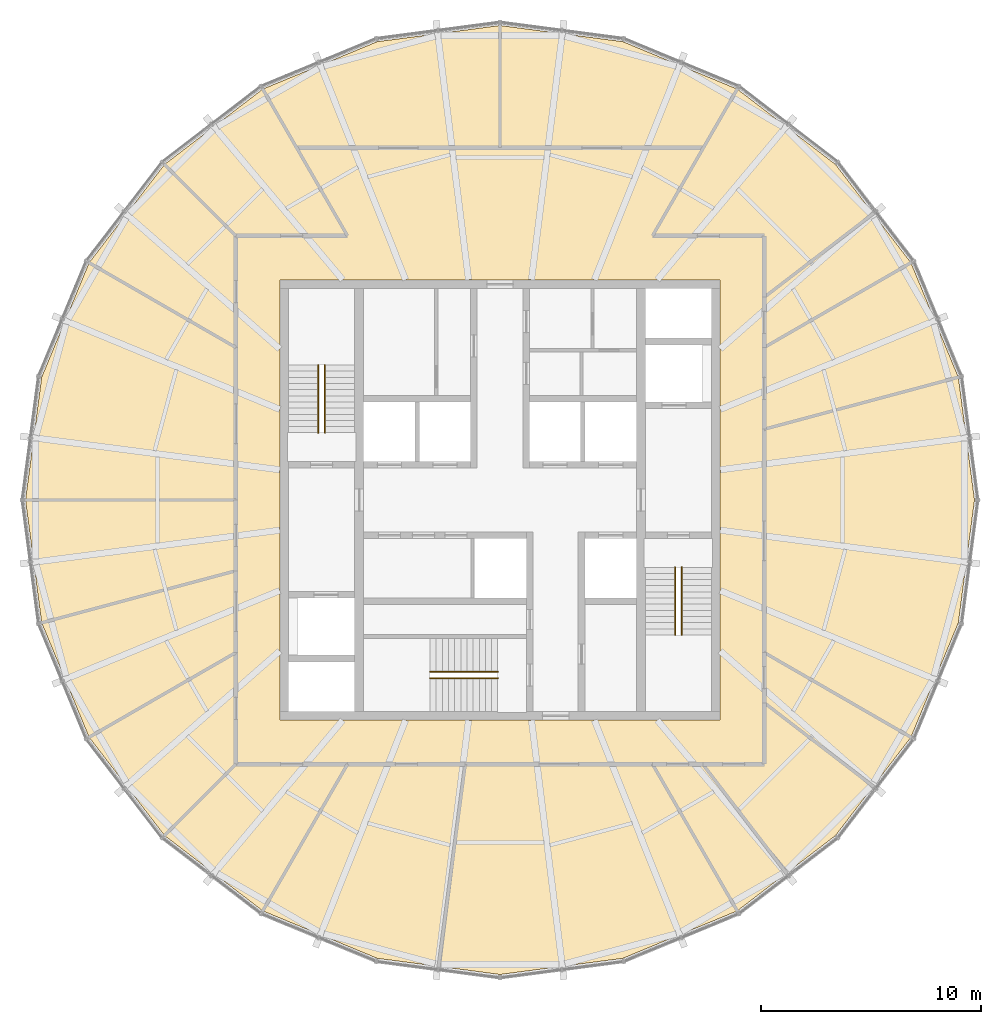
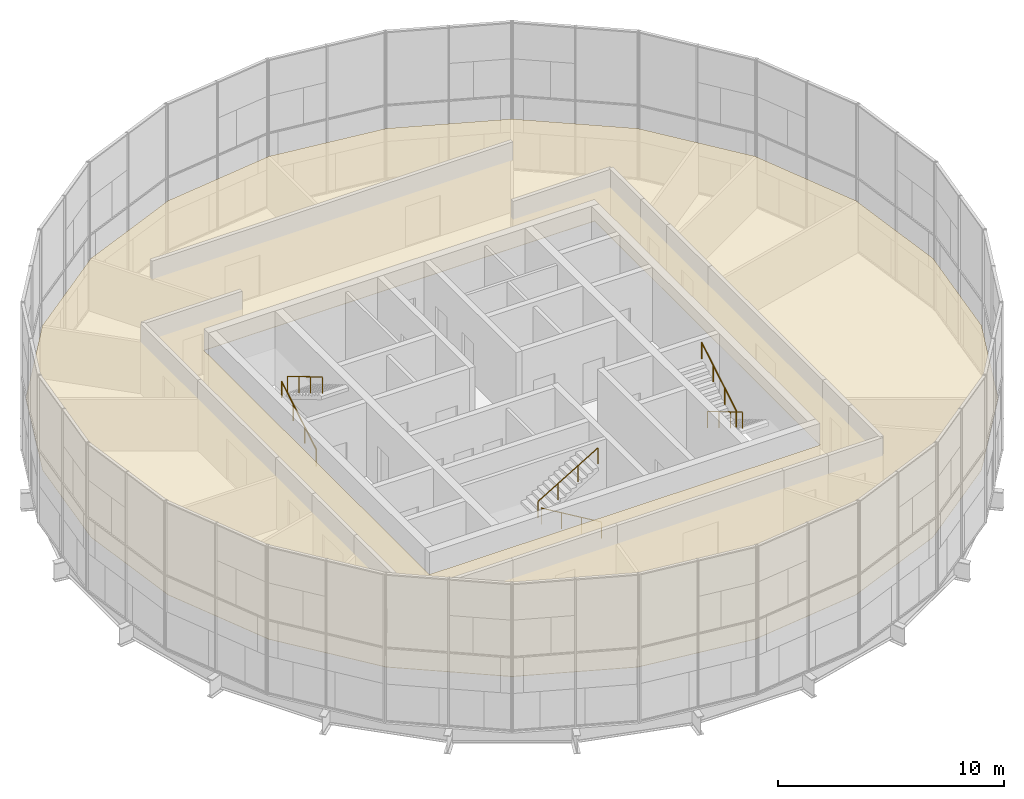
# One storey, part 18 of 18: 6 railings, 1 covering.
"""IFC4 building model written with IfcOpenShell, lengths in metres."""

import ifcopenshell
import ifcopenshell.guid

model = None  # the IFC model being written
_history = None  # IfcOwnerHistory: only IFC2X3 demands one
_inside = {}  # id of a spatial element -> (the spatial element, [elements in it])
_under = {}  # id of a project, library or spatial element -> (it, [spatial elements below it])
_declared = {}  # id of a project -> (the project, [libraries it declares])
_typed = {}  # id of a type object -> (the type object, [elements of that type])
_made_of = {}  # id of a material, layer set ... -> (it, [elements and type objects made of it])


def new_model(schema):
    """Start an empty IFC model of exactly this schema.

    Asked for "IFC4X3", IfcOpenShell would pick the latest addendum, in which some entities
    have other attributes; the version numbers below select the first issue.
    IFC2X3 requires an IfcOwnerHistory on every rooted entity: one is made here for all.
    """
    global model, _history
    if schema == "IFC4X3":
        model = ifcopenshell.file(schema_version=(4, 3, 0, 0))
    else:
        model = ifcopenshell.file(schema=schema)
    _inside.clear()
    _under.clear()
    _declared.clear()
    _typed.clear()
    _made_of.clear()
    _history = None
    if model.schema == "IFC2X3":
        org = make("IfcOrganization", Name="unknown")
        user = make(
            "IfcPersonAndOrganization",
            ThePerson=make("IfcPerson", FamilyName="unknown"),
            TheOrganization=org,
        )
        app = make(
            "IfcApplication",
            ApplicationDeveloper=org,
            Version="unknown",
            ApplicationFullName="unknown",
            ApplicationIdentifier="unknown",
        )
        _history = make(
            "IfcOwnerHistory",
            OwningUser=user,
            OwningApplication=app,
            ChangeAction="ADDED",
            CreationDate=0,
        )
    return model


def make(cls, **values):
    """One entity of the class cls with the attributes given. An attribute that is None is left unset."""
    return model.create_entity(
        cls, **{name: value for name, value in values.items() if value is not None}
    )


def rooted(cls, **values):
    """An entity with a GlobalId (a new one), such as an element, a storey or a relation."""
    return make(cls, GlobalId=ifcopenshell.guid.new(), OwnerHistory=_history, **values)


def si_unit(unit_type, name, prefix=None):
    """IfcSIUnit, for example si_unit("LENGTHUNIT", "METRE", prefix="MILLI")."""
    return make("IfcSIUnit", UnitType=unit_type, Prefix=prefix, Name=name)


def assignment(units):
    """IfcUnitAssignment: the units of a project."""
    return None if units is None else make("IfcUnitAssignment", Units=units)


def point(xyz):
    """IfcCartesianPoint."""
    return None if xyz is None else make("IfcCartesianPoint", Coordinates=xyz)


def direction(xyz):
    """IfcDirection."""
    return None if xyz is None else make("IfcDirection", DirectionRatios=xyz)


def frame(location, z_axis=None, x_axis=None):
    """IfcAxis2Placement3D, a coordinate frame: its origin and axes. An axis left out is left unset."""
    return make(
        "IfcAxis2Placement3D",
        Location=point(location),
        Axis=direction(z_axis),
        RefDirection=direction(x_axis),
    )


def frame_2d(location, x_axis=None):
    """IfcAxis2Placement2D, a coordinate frame in the plane: its origin and x axis."""
    return make(
        "IfcAxis2Placement2D", Location=point(location), RefDirection=direction(x_axis)
    )


def origin():
    """The frame at (0, 0, 0) with its axes left unset."""
    return frame((0.0, 0.0, 0.0))


def origin_2d():
    """The frame at (0, 0) in the plane with its x axis left unset."""
    return frame_2d((0.0, 0.0))


def place(relative_to, where):
    """IfcLocalPlacement: puts the frame where relative to a parent placement (None: the world)."""
    return make(
        "IfcLocalPlacement", PlacementRelTo=relative_to, RelativePlacement=where
    )


def context(
    kind, dimensions, precision=None, world=None, true_north=None, identifier=None
):
    """IfcGeometricRepresentationContext, for example the 3D "Model" context."""
    return make(
        "IfcGeometricRepresentationContext",
        ContextIdentifier=identifier,
        ContextType=kind,
        CoordinateSpaceDimension=dimensions,
        Precision=precision,
        WorldCoordinateSystem=world,
        TrueNorth=true_north,
    )


def subcontext(parent, identifier, kind, view, scale=None):
    """IfcGeometricRepresentationSubContext, for example "Body" below "Model"."""
    return make(
        "IfcGeometricRepresentationSubContext",
        ContextIdentifier=identifier,
        ContextType=kind,
        ParentContext=parent,
        TargetScale=scale,
        TargetView=view,
    )


def project(units=None, contexts=None):
    """IfcProject with its units and contexts."""
    return rooted(
        "IfcProject",
        Name="project",
        RepresentationContexts=contexts,
        UnitsInContext=assignment(units),
    )


def spatial(cls, under=None, at=None, **own):
    """A site, building, storey or space (cls), placed at a placement, below another one or the project."""
    s = rooted(cls, ObjectPlacement=at, **own)
    if under is not None:
        _under.setdefault(under.id(), (under, []))[1].append(s)
    return s


def polyline(points):
    """IfcPolyline through the points."""
    return make("IfcPolyline", Points=[point(p) for p in points])


def profile(cls, at=None, kind="AREA", **sizes):
    """A parametric profile (cls). Its sizes go by their IFC names, for example OverallWidth=200.0."""
    return make(cls, ProfileType=kind, Position=at, **sizes)


def circle(**sizes):
    """IfcCircleProfileDef."""
    return profile("IfcCircleProfileDef", **sizes)


def outline(outer, holes=None, kind="AREA"):
    """IfcArbitraryClosedProfileDef: a profile drawn as a closed curve; with holes, ...WithVoids."""
    if holes is None:
        return make("IfcArbitraryClosedProfileDef", ProfileType=kind, OuterCurve=outer)
    return make(
        "IfcArbitraryProfileDefWithVoids",
        ProfileType=kind,
        OuterCurve=outer,
        InnerCurves=holes,
    )


def extrude(swept, where, along, depth):
    """IfcExtrudedAreaSolid: the profile swept, set in the frame where, extruded along a direction by depth."""
    return make(
        "IfcExtrudedAreaSolid",
        SweptArea=swept,
        Position=where,
        ExtrudedDirection=direction(along),
        Depth=depth,
    )


def shape(context_of_items, identifier, shape_type, items):
    """IfcShapeRepresentation: the items that make up one representation, for example the "Body"."""
    return make(
        "IfcShapeRepresentation",
        ContextOfItems=context_of_items,
        RepresentationIdentifier=identifier,
        RepresentationType=shape_type,
        Items=items,
    )


def material(Name=None, Category=None):
    """IfcMaterial."""
    return make("IfcMaterial", Name=Name, Category=Category)


def layer(
    of_material, thickness, ventilated=None, Name=None, Category=None, Priority=None
):
    """IfcMaterialLayer: one layer of a wall or slab, of a material (None: an air gap)."""
    return make(
        "IfcMaterialLayer",
        Material=of_material,
        LayerThickness=thickness,
        IsVentilated=ventilated,
        Name=Name,
        Category=Category,
        Priority=Priority,
    )


def layer_set(layers, Name=None):
    """IfcMaterialLayerSet."""
    return make("IfcMaterialLayerSet", MaterialLayers=layers, LayerSetName=Name)


def made_of(thing, what):
    """Note that an element or type object is made of a material, layer set ...; save() writes the relation."""
    if what is not None:
        _made_of.setdefault(what.id(), (what, []))[1].append(thing)
    return thing


def type_object(cls, material=None, **own):
    """A type object (cls), such as IfcWallType, which elements share."""
    return made_of(rooted(cls, **own), material)


def element(
    cls,
    number,
    at=None,
    inside=None,
    cuts=None,
    type_object=None,
    material=None,
    context=None,
    identifier="Body",
    shape_type=None,
    held_by="IfcProductDefinitionShape",
    body=None,
    shapes=None,
    **own,
):
    """One element of the class cls, such as IfcWall. Its Tag is "e" and its number.

    at: its placement. inside: the storey or other place that contains it. cuts: it is an
    opening in that element (IfcRelVoidsElement). A single representation is given by context,
    identifier, shape_type and body (its items); several are given by shapes. held_by: the class
    of the entity that holds the representations. save() writes the other relations.
    """
    e = rooted(cls, Tag="e%d" % number, ObjectPlacement=at, **own)
    if body is not None:
        shapes = [shape(context, identifier, shape_type, body)]
    if shapes is not None:
        e.Representation = make(held_by, Representations=shapes)
    if inside is not None:
        _inside.setdefault(inside.id(), (inside, []))[1].append(e)
    if cuts is not None:
        rooted(
            "IfcRelVoidsElement", RelatingBuildingElement=cuts, RelatedOpeningElement=e
        )
    if type_object is not None:
        _typed.setdefault(type_object.id(), (type_object, []))[1].append(e)
    return made_of(e, material)


def aggregate(whole, parts):
    """IfcRelAggregates: a whole, such as a stair, and the parts it consists of."""
    return rooted("IfcRelAggregates", RelatingObject=whole, RelatedObjects=parts)


def save(model, path):
    """Write the relations noted so far, then the file.

    IfcRelAggregates (storeys below a building ...), IfcRelContainedInSpatialStructure (elements
    in a storey), IfcRelDefinesByType, IfcRelAssociatesMaterial and IfcRelDeclares: one each for
    every whole, place, type object, material and project.
    """
    for whole, parts in _under.values():
        aggregate(whole, parts)
    for where, things in _inside.values():
        rooted(
            "IfcRelContainedInSpatialStructure",
            RelatedElements=things,
            RelatingStructure=where,
        )
    for kind, things in _typed.values():
        rooted("IfcRelDefinesByType", RelatedObjects=things, RelatingType=kind)
    for what, things in _made_of.values():
        rooted("IfcRelAssociatesMaterial", RelatedObjects=things, RelatingMaterial=what)
    for by, libraries in _declared.values():
        rooted("IfcRelDeclares", RelatingContext=by, RelatedDefinitions=libraries)
    model.write(path)


model = new_model("IFC4")

# Units and contexts
model_context = context("Model", 3, precision=1e-05, world=origin(), true_north=direction((0.0, 1.0)))
body_context = subcontext(model_context, "Body", "Model", "MODEL_VIEW")
ifc_project = project(units=[si_unit("LENGTHUNIT", "METRE"), si_unit("AREAUNIT", "SQUARE_METRE"), si_unit("VOLUMEUNIT", "CUBIC_METRE"), si_unit("PLANEANGLEUNIT", "RADIAN"), si_unit("MASSUNIT", "GRAM", prefix="KILO")], contexts=[model_context])

# Site, building, storey
site_placement = place(None, origin())
site = spatial("IfcSite", under=ifc_project, at=site_placement, CompositionType="ELEMENT")
building_placement = place(site_placement, origin())
building = spatial("IfcBuilding", under=site, at=building_placement, Name="Golbaran Civic Tower", CompositionType="ELEMENT")
storey_placement = place(building_placement, frame((0.0, 0.0, 272.0)))
storey = spatial("IfcBuildingStorey", under=building, at=storey_placement, Name="L66", CompositionType="ELEMENT", Elevation=272.0)

# Railings
ifc_material_1 = material(Name="Stainless steel", Category="steel")
railing_type = type_object("IfcRailingType", Name="STAIR HANDRAIL 900", PredefinedType="HANDRAIL", material=ifc_material_1)
railing_1_placement = place(storey_placement, frame((-8.25, 3.050048828125, 0.166748046875)))
element("IfcRailing", 1, at=railing_1_placement, inside=storey, type_object=railing_type, Name="Stair S1 handrail flight 1 L66", PredefinedType="HANDRAIL", context=body_context, shape_type="SweptSolid", body=[
    extrude(circle(Radius=0.02392578125, at=origin_2d()), frame((0.0, 0.0, 0.8759765625), z_axis=(0.0, 0.859290745958, 0.51148745235), x_axis=(-1.0, 0.0, 0.0)), (0.0, 0.0, 1.0), 3.584228515625),
    extrude(circle(Radius=0.02099609375, at=origin_2d()), origin(), (0.0, 0.0, 1.0), 0.851806640625),
    extrude(circle(Radius=0.02099609375, at=origin_2d()), frame((0.0, 1.026611328125, 0.611083984375)), (0.0, 0.0, 1.0), 0.851806640625),
    extrude(circle(Radius=0.02099609375, at=origin_2d()), frame((0.0, 2.05322265625, 1.22216796875)), (0.0, 0.0, 1.0), 0.851806640625),
    extrude(circle(Radius=0.02099609375, at=origin_2d()), frame((0.0, 3.079833984375, 1.833251953125)), (0.0, 0.0, 1.0), 0.851806640625),
])
for number, where, name in (
    (2, (-7.949951171875, 6.1298828125, 2.166748046875), "Stair S1 handrail flight 2 L66"),
    (3, (8.25, -3.050048828125, 0.166748046875), "Stair S2 handrail flight 1 L66"),
):
    element("IfcRailing", number, at=place(storey_placement, frame(where)), inside=storey, type_object=railing_type, Name=name, PredefinedType="HANDRAIL", context=body_context, shape_type="SweptSolid", body=[
        extrude(circle(Radius=0.02392578125, at=origin_2d()), frame((0.0, 0.0, 0.8759765625), z_axis=(0.0, -0.859290745958, 0.51148745235), x_axis=(1.0, 0.0, 0.0)), (0.0, 0.0, 1.0), 3.584228515625),
        extrude(circle(Radius=0.02099609375, at=origin_2d()), origin(), (0.0, 0.0, 1.0), 0.851806640625),
        extrude(circle(Radius=0.02099609375, at=origin_2d()), frame((0.0, -1.026611328125, 0.611083984375)), (0.0, 0.0, 1.0), 0.851806640625),
        extrude(circle(Radius=0.02099609375, at=origin_2d()), frame((0.0, -2.05322265625, 1.22216796875)), (0.0, 0.0, 1.0), 0.851806640625),
        extrude(circle(Radius=0.02099609375, at=origin_2d()), frame((0.0, -3.079833984375, 1.833251953125)), (0.0, 0.0, 1.0), 0.851806640625),
    ])
railing_2_placement = place(storey_placement, frame((7.949951171875, -6.1298828125, 2.166748046875)))
element("IfcRailing", 4, at=railing_2_placement, inside=storey, type_object=railing_type, Name="Stair S2 handrail flight 2 L66", PredefinedType="HANDRAIL", context=body_context, shape_type="SweptSolid", body=[
    extrude(circle(Radius=0.02392578125, at=origin_2d()), frame((0.0, 0.0, 0.8759765625), z_axis=(0.0, 0.859290745958, 0.51148745235), x_axis=(-1.0, 0.0, 0.0)), (0.0, 0.0, 1.0), 3.584228515625),
    extrude(circle(Radius=0.02099609375, at=origin_2d()), origin(), (0.0, 0.0, 1.0), 0.851806640625),
    extrude(circle(Radius=0.02099609375, at=origin_2d()), frame((0.0, 1.026611328125, 0.611083984375)), (0.0, 0.0, 1.0), 0.851806640625),
    extrude(circle(Radius=0.02099609375, at=origin_2d()), frame((0.0, 2.05322265625, 1.22216796875)), (0.0, 0.0, 1.0), 0.851806640625),
    extrude(circle(Radius=0.02099609375, at=origin_2d()), frame((0.0, 3.079833984375, 1.833251953125)), (0.0, 0.0, 1.0), 0.851806640625),
])
railing_3_placement = place(storey_placement, frame((-0.10009765625, -8.10009765625, 0.166748046875)))
element("IfcRailing", 5, at=railing_3_placement, inside=storey, type_object=railing_type, Name="Stair S3 handrail flight 1 L66", PredefinedType="HANDRAIL", context=body_context, shape_type="SweptSolid", body=[
    extrude(circle(Radius=0.02392578125, at=origin_2d()), frame((0.0, 0.0, 0.8759765625), z_axis=(-0.859290745958, 0.0, 0.51148745235), x_axis=(0.0, -1.0, 0.0)), (0.0, 0.0, 1.0), 3.584228515625),
    extrude(circle(Radius=0.02099609375, at=origin_2d()), origin(), (0.0, 0.0, 1.0), 0.851806640625),
    extrude(circle(Radius=0.02099609375, at=origin_2d()), frame((-1.026611328125, 0.0, 0.611083984375)), (0.0, 0.0, 1.0), 0.851806640625),
    extrude(circle(Radius=0.02099609375, at=origin_2d()), frame((-2.05322265625, 0.0, 1.22216796875)), (0.0, 0.0, 1.0), 0.851806640625),
    extrude(circle(Radius=0.02099609375, at=origin_2d()), frame((-3.079833984375, 0.0, 1.833251953125)), (0.0, 0.0, 1.0), 0.851806640625),
])
railing_4_placement = place(storey_placement, frame((-3.179931640625, -7.800048828125, 2.166748046875)))
element("IfcRailing", 6, at=railing_4_placement, inside=storey, type_object=railing_type, Name="Stair S3 handrail flight 2 L66", PredefinedType="HANDRAIL", context=body_context, shape_type="SweptSolid", body=[
    extrude(circle(Radius=0.02392578125, at=origin_2d()), frame((0.0, 0.0, 0.8759765625), z_axis=(0.859290745958, 0.0, 0.51148745235), x_axis=(0.0, 1.0, 0.0)), (0.0, 0.0, 1.0), 3.584228515625),
    extrude(circle(Radius=0.02099609375, at=origin_2d()), origin(), (0.0, 0.0, 1.0), 0.851806640625),
    extrude(circle(Radius=0.02099609375, at=origin_2d()), frame((1.026611328125, 0.0, 0.611083984375)), (0.0, 0.0, 1.0), 0.851806640625),
    extrude(circle(Radius=0.02099609375, at=origin_2d()), frame((2.05322265625, 0.0, 1.22216796875)), (0.0, 0.0, 1.0), 0.851806640625),
    extrude(circle(Radius=0.02099609375, at=origin_2d()), frame((3.079833984375, 0.0, 1.833251953125)), (0.0, 0.0, 1.0), 0.851806640625),
])

# Covering
ifc_material_2 = material(Name="Mineral fibre tile on steel grid", Category="steel")
ifc_layer = layer(ifc_material_2, 0.02001953125, Name="Mineral fibre tile on steel grid")
ifc_layer_set = layer_set([ifc_layer], Name="Mineral fibre tile on steel grid")
covering_type = type_object("IfcCoveringType", Name="SUSPENDED CEILING 600 TILE 20", PredefinedType="CEILING", material=ifc_layer_set)
covering_placement = place(storey_placement, frame((0.0, 0.0, 2.800048828125)))
element("IfcCovering", 7, at=covering_placement, inside=storey, type_object=covering_type, Name="Suspended ceiling L66", PredefinedType="CEILING", context=body_context, shape_type="SweptSolid", body=[
    extrude(outline(polyline([(-15.237548828125, 15.237548828125), (-10.7744140625, 18.661865234375), (-5.577392578125, 20.814697265625), (0.0, 21.549072265625), (5.577392578125, 20.814697265625), (10.7744140625, 18.661865234375), (15.237548828125, 15.237548828125), (18.661865234375, 10.7744140625), (20.814697265625, 5.577392578125), (21.549072265625, 0.0), (20.814697265625, -5.577392578125), (18.661865234375, -10.7744140625), (15.237548828125, -15.237548828125), (10.7744140625, -18.661865234375), (5.577392578125, -20.814697265625), (0.0, -21.549072265625), (-5.577392578125, -20.814697265625), (-10.7744140625, -18.661865234375), (-15.237548828125, -15.237548828125), (-18.661865234375, -10.7744140625), (-20.814697265625, -5.577392578125), (-21.549072265625, 0.0), (-20.814697265625, 5.577392578125), (-18.661865234375, 10.7744140625), (-15.237548828125, 15.237548828125)]), holes=[polyline([(-10.0, 10.0), (-10.0, -10.0), (10.0, -10.0), (10.0, 10.0), (-10.0, 10.0)])]), origin(), (0.0, 0.0, 1.0), 0.02001953125),
])

save(model, "model.ifc")
